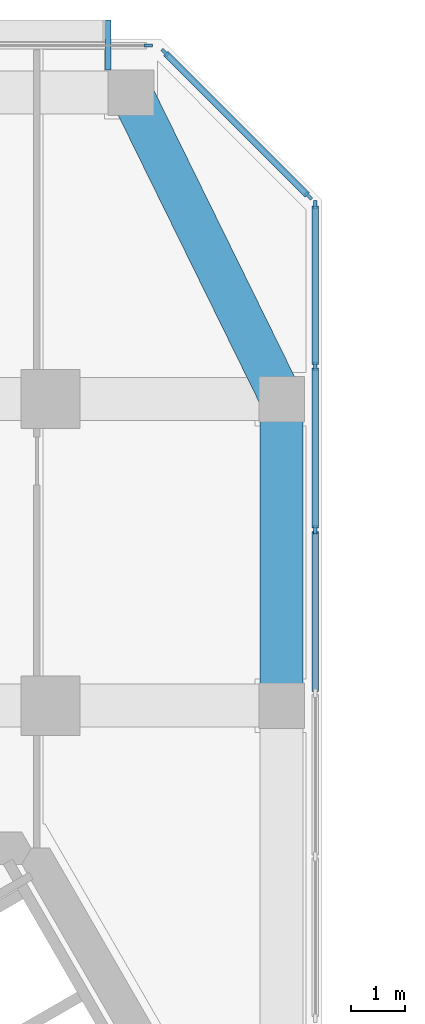
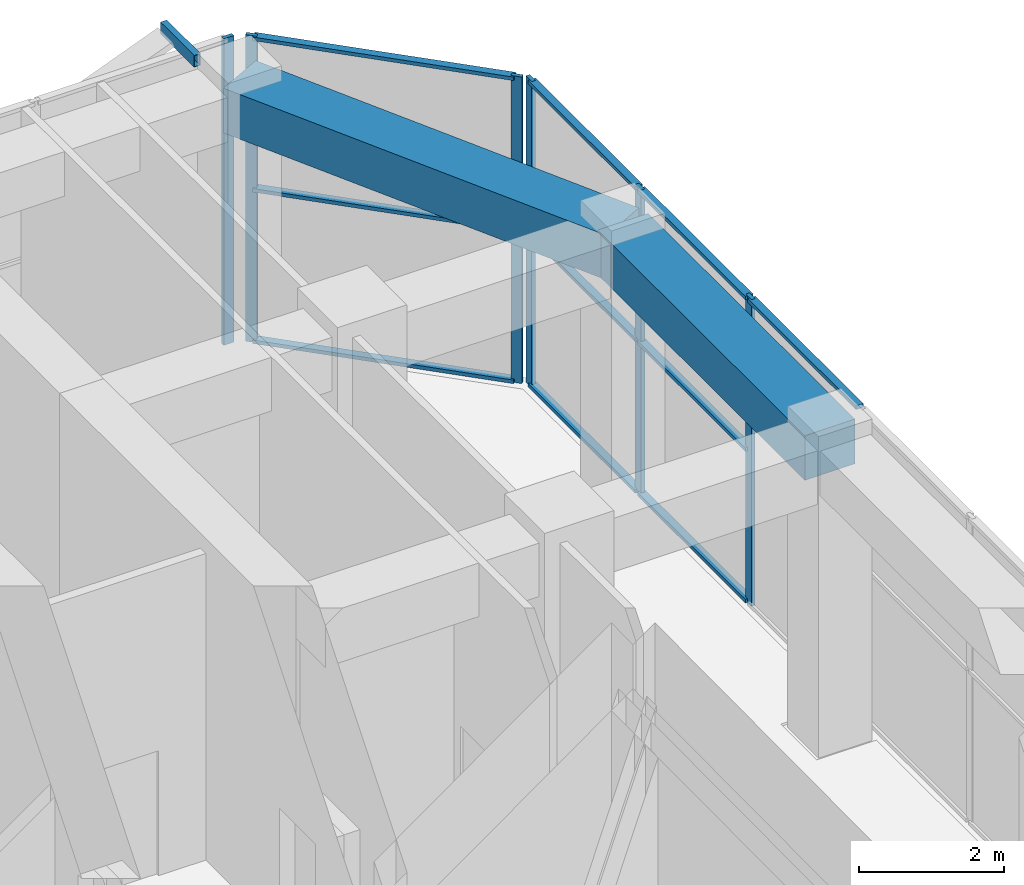
# One storey, part 8 of 16: 17 members, 2 beams, 3 elements without a shape of their own.
"""IFC4 building model written with IfcOpenShell, lengths in metres."""

from ifc_helpers import new_model, si_unit, direction, frame, origin, origin_2d, place, context, subcontext, project, spatial, rectangle, hollow_rectangle, extrude, material, material_profile, profile_set, type_object, element, aggregate, save


model = new_model("IFC4")

# Units and contexts
model_context = context("Model", 3, precision=1e-05, world=origin(), true_north=direction((0.0, 1.0)))
body_context = subcontext(model_context, "Body", "Model", "MODEL_VIEW")
ifc_project = project(units=[si_unit("LENGTHUNIT", "METRE"), si_unit("AREAUNIT", "SQUARE_METRE"), si_unit("VOLUMEUNIT", "CUBIC_METRE"), si_unit("PLANEANGLEUNIT", "RADIAN"), si_unit("MASSUNIT", "GRAM", prefix="KILO")], contexts=[model_context])

# Site, building, storey
site_placement = place(None, origin())
site = spatial("IfcSite", under=ifc_project, at=site_placement, CompositionType="ELEMENT")
building_placement = place(site_placement, origin())
building = spatial("IfcBuilding", under=site, at=building_placement, Name="Kosmar Iwan School Tower", CompositionType="ELEMENT")
storey_placement = place(building_placement, frame((0.0, 0.0, 226.199951171875)))
storey = spatial("IfcBuildingStorey", under=building, at=storey_placement, Name="L57", CompositionType="ELEMENT", Elevation=226.199951171875)

# Member
ifc_material_1 = material(Name="Steel S355", Category="steel")
ifc_material_profile_1 = material_profile(ifc_material_1, hollow_rectangle(XDim=0.10009765625, YDim=0.199951171875, WallThickness=0.008056640625, at=origin_2d()), Name="RHS 200x100x8")
ifc_profile_set_1 = profile_set([ifc_material_profile_1], Name="Steel S355")
member_type_1 = type_object("IfcMemberType", Name="Fin bracket RHS 200x100", PredefinedType="USERDEFINED", material=ifc_profile_set_1)
member_1_placement = place(storey_placement, frame((6.97509765625, 24.074951171875, 5.275146484375), z_axis=(0.0, 1.0, 0.0), x_axis=(-1.0, 0.0, 0.0)))
element("IfcMember", 1, at=member_1_placement, inside=storey, type_object=member_type_1, Name="Fin bracket L58", ObjectType="FIN BRACKET", PredefinedType="USERDEFINED", context=body_context, shape_type="SweptSolid", body=[
    extrude(hollow_rectangle(XDim=0.10009765625, YDim=0.199951171875, WallThickness=0.008056640625, at=origin_2d()), origin(), (0.0, 0.0, 1.0), 0.925048828125),
])

# Curtain wall, members
ifc_material_2 = material(Name="Dark glass in black aluminium frame", Category="aluminium")
curtain_wall_type_1 = type_object("IfcCurtainWallType", Name="Winter garden curtain wall", PredefinedType="USERDEFINED", material=ifc_material_2)
curtain_wall_1_placement = place(storey_placement, origin())
curtain_wall_1 = element("IfcCurtainWall", 2, at=curtain_wall_1_placement, inside=storey, type_object=curtain_wall_type_1, Name="Curtain wall L57-F04", ObjectType="WINTER GARDEN CURTAIN WALL", PredefinedType="USERDEFINED")
ifc_material_3 = material(Name="Black anodised aluminium", Category="aluminium")
ifc_material_profile_2 = material_profile(ifc_material_3, rectangle(XDim=0.06005859375, YDim=0.159912109375, at=origin_2d()), Name="MULLION 60x160")
ifc_profile_set_2 = profile_set([ifc_material_profile_2], Name="Black anodised aluminium")
member_type_2 = type_object("IfcMemberType", Name="Mullion 60x160", PredefinedType="MULLION", material=ifc_profile_set_2)
member_2_placement = place(storey_placement, frame((10.824951171875, 15.5224609375, 0.0), z_axis=(0.0, 0.0, 1.0), x_axis=(-1.0, 0.0, 0.0)))
member_2 = element("IfcMember", 3, at=member_2_placement, type_object=member_type_2, Name="CW7 mullion 4", PredefinedType="MULLION", context=body_context, shape_type="SweptSolid", body=[
    extrude(rectangle(XDim=0.06005859375, YDim=0.159912109375, at=origin_2d()), origin(), (0.0, 0.0, 1.0), 5.150146484375),
])
member_3_placement = place(storey_placement, frame((10.824951171875, 18.560302734375, 0.0), z_axis=(0.0, 0.0, 1.0), x_axis=(-1.0, 0.0, 0.0)))
member_3 = element("IfcMember", 4, at=member_3_placement, type_object=member_type_2, Name="CW7 mullion 5", PredefinedType="MULLION", context=body_context, shape_type="SweptSolid", body=[
    extrude(rectangle(XDim=0.06005859375, YDim=0.159912109375, at=origin_2d()), origin(), (0.0, 0.0, 1.0), 5.150146484375),
])
member_4_placement = place(storey_placement, frame((10.824951171875, 21.568115234375, 0.0), z_axis=(0.0, 0.0, 1.0), x_axis=(-1.0, 0.0, 0.0)))
member_4 = element("IfcMember", 5, at=member_4_placement, type_object=member_type_2, Name="CW7 mullion 6", PredefinedType="MULLION", context=body_context, shape_type="SweptSolid", body=[
    extrude(rectangle(XDim=0.06005859375, YDim=0.159912109375, at=origin_2d()), origin(), (0.0, 0.0, 1.0), 5.150146484375),
])

ifc_material_4 = material(Name="Dark glass in black aluminium frame", Category="aluminium")
curtain_wall_type_2 = type_object("IfcCurtainWallType", Name="Chamfer curtain wall dark glass", PredefinedType="USERDEFINED", material=ifc_material_4)
curtain_wall_2_placement = place(storey_placement, origin())
curtain_wall_2 = element("IfcCurtainWall", 6, at=curtain_wall_2_placement, inside=storey, type_object=curtain_wall_type_2, Name="Curtain wall L57-F05", ObjectType="FACETED CURTAIN WALL", PredefinedType="USERDEFINED")
member_5_placement = place(storey_placement, frame((10.69775390625, 21.7255859375, 0.0), z_axis=(0.0, 0.0, 1.0), x_axis=(-0.707106781187, -0.707106781187, 0.0)))
member_5 = element("IfcMember", 7, at=member_5_placement, type_object=member_type_2, Name="CW2 mullion 1", PredefinedType="MULLION", context=body_context, shape_type="SweptSolid", body=[
    extrude(rectangle(XDim=0.06005859375, YDim=0.159912109375, at=origin_2d()), origin(), (0.0, 0.0, 1.0), 5.150146484375),
])
member_6_placement = place(storey_placement, frame((8.025390625, 24.397705078125, 0.0), z_axis=(0.0, 0.0, 1.0), x_axis=(-0.707106781187, -0.707106781187, 0.0)))
member_6 = element("IfcMember", 8, at=member_6_placement, type_object=member_type_2, Name="CW2 mullion 2", PredefinedType="MULLION", context=body_context, shape_type="SweptSolid", body=[
    extrude(rectangle(XDim=0.06005859375, YDim=0.159912109375, at=origin_2d()), origin(), (0.0, 0.0, 1.0), 5.150146484375),
])

# Curtain wall, member
ifc_material_5 = material(Name="Dark glass in black aluminium frame", Category="aluminium")
curtain_wall_type_3 = type_object("IfcCurtainWallType", Name="Tower curtain wall dark glass", PredefinedType="USERDEFINED", material=ifc_material_5)
curtain_wall_3_placement = place(storey_placement, origin())
curtain_wall_3 = element("IfcCurtainWall", 9, at=curtain_wall_3_placement, inside=storey, type_object=curtain_wall_type_3, Name="Curtain wall L57-F06", ObjectType="UNITISED CURTAIN WALL", PredefinedType="USERDEFINED")
member_7_placement = place(storey_placement, frame((7.71826171875, 24.52490234375, 0.0), z_axis=(0.0, 0.0, 1.0), x_axis=(0.0, -1.0, 0.0)))
member_7 = element("IfcMember", 10, at=member_7_placement, type_object=member_type_2, Name="CW1 mullion 1", PredefinedType="MULLION", context=body_context, shape_type="SweptSolid", body=[
    extrude(rectangle(XDim=0.06005859375, YDim=0.159912109375, at=origin_2d()), origin(), (0.0, 0.0, 1.0), 5.150146484375),
])
aggregate(curtain_wall_3, [member_7])

# Beams
ifc_material_6 = material(Name="Concrete C50/60", Category="concrete")
ifc_material_profile_3 = material_profile(ifc_material_6, rectangle(XDim=0.800048828125, YDim=0.75, at=origin_2d()), Name="RC 800x750")
ifc_profile_set_3 = profile_set([ifc_material_profile_3], Name="Concrete C50/60")
beam_type_1 = type_object("IfcBeamType", Name="RC edge beam 800x750", PredefinedType="BEAM", material=ifc_profile_set_3)
beam_1_placement = place(storey_placement, frame((10.199951171875, 12.25, 4.775146484375), z_axis=(0.0, 1.0, 0.0), x_axis=(-1.0, 0.0, 0.0)))
element("IfcBeam", 11, at=beam_1_placement, inside=storey, type_object=beam_type_1, Name="Edge beam AR2", PredefinedType="BEAM", context=body_context, shape_type="SweptSolid", body=[
    extrude(rectangle(XDim=0.800048828125, YDim=0.75, at=origin_2d()), origin(), (0.0, 0.0, 1.0), 5.699951171875),
])
ifc_material_7 = material(Name="Concrete C50/60", Category="concrete")
ifc_material_profile_4 = material_profile(ifc_material_7, rectangle(XDim=0.800048828125, YDim=0.75, at=origin_2d()), Name="RC 800x750")
ifc_profile_set_4 = profile_set([ifc_material_profile_4], Name="Concrete C50/60")
beam_type_2 = type_object("IfcBeamType", Name="RC tip beam 800x750", PredefinedType="BEAM", material=ifc_profile_set_4)
beam_2_placement = place(storey_placement, frame((10.199951171875, 17.949951171875, 4.775146484375), z_axis=(-0.440913116462, 0.897549788999, 0.0), x_axis=(-0.897549788999, -0.440913116462, 0.0)))
element("IfcBeam", 12, at=beam_2_placement, inside=storey, type_object=beam_type_2, Name="Tip beam AR", PredefinedType="BEAM", context=body_context, shape_type="SweptSolid", body=[
    extrude(rectangle(XDim=0.800048828125, YDim=0.75, at=origin_2d()), origin(), (0.0, 0.0, 1.0), 6.3505859375),
])

# Member
ifc_material_8 = material(Name="Black anodised aluminium", Category="aluminium")
ifc_material_profile_5 = material_profile(ifc_material_8, rectangle(XDim=0.1201171875, YDim=0.06005859375, at=origin_2d()), Name="TRANSOM 60x120")
ifc_profile_set_5 = profile_set([ifc_material_profile_5], Name="Black anodised aluminium")
member_type_3 = type_object("IfcMemberType", Name="Transom 60x120", PredefinedType="USERDEFINED", material=ifc_profile_set_5)
member_8_placement = place(storey_placement, frame((10.824951171875, 12.5146484375, 5.1201171875), z_axis=(0.0, 1.0, 0.0), x_axis=(-1.0, 0.0, 0.0)))
member_8 = element("IfcMember", 13, at=member_8_placement, type_object=member_type_3, Name="CW7 transom 3.3", ObjectType="TRANSOM", PredefinedType="USERDEFINED", context=body_context, shape_type="SweptSolid", body=[
    extrude(rectangle(XDim=0.1201171875, YDim=0.06005859375, at=origin_2d()), origin(), (0.0, 0.0, 1.0), 2.977783203125),
])

member_9_placement = place(storey_placement, frame((10.824951171875, 15.552490234375, 0.030029296875), z_axis=(0.0, 1.0, 0.0), x_axis=(-1.0, 0.0, 0.0)))
member_9 = element("IfcMember", 14, at=member_9_placement, type_object=member_type_3, Name="CW7 transom 4.1", ObjectType="TRANSOM", PredefinedType="USERDEFINED", context=body_context, shape_type="SweptSolid", body=[
    extrude(rectangle(XDim=0.1201171875, YDim=0.06005859375, at=origin_2d()), origin(), (0.0, 0.0, 1.0), 2.977783203125),
])

member_10_placement = place(storey_placement, frame((10.824951171875, 15.552490234375, 2.574951171875), z_axis=(0.0, 1.0, 0.0), x_axis=(-1.0, 0.0, 0.0)))
member_10 = element("IfcMember", 15, at=member_10_placement, type_object=member_type_3, Name="CW7 transom 4.2", ObjectType="TRANSOM", PredefinedType="USERDEFINED", context=body_context, shape_type="SweptSolid", body=[
    extrude(rectangle(XDim=0.1201171875, YDim=0.06005859375, at=origin_2d()), origin(), (0.0, 0.0, 1.0), 2.977783203125),
])

member_11_placement = place(storey_placement, frame((10.824951171875, 15.552490234375, 5.1201171875), z_axis=(0.0, 1.0, 0.0), x_axis=(-1.0, 0.0, 0.0)))
member_11 = element("IfcMember", 16, at=member_11_placement, type_object=member_type_3, Name="CW7 transom 4.3", ObjectType="TRANSOM", PredefinedType="USERDEFINED", context=body_context, shape_type="SweptSolid", body=[
    extrude(rectangle(XDim=0.1201171875, YDim=0.06005859375, at=origin_2d()), origin(), (0.0, 0.0, 1.0), 2.977783203125),
])

member_12_placement = place(storey_placement, frame((10.824951171875, 18.59033203125, 0.030029296875), z_axis=(0.0, 1.0, 0.0), x_axis=(-1.0, 0.0, 0.0)))
member_12 = element("IfcMember", 17, at=member_12_placement, type_object=member_type_3, Name="CW7 transom 5.1", ObjectType="TRANSOM", PredefinedType="USERDEFINED", context=body_context, shape_type="SweptSolid", body=[
    extrude(rectangle(XDim=0.1201171875, YDim=0.06005859375, at=origin_2d()), origin(), (0.0, 0.0, 1.0), 2.947998046875),
])

member_13_placement = place(storey_placement, frame((10.824951171875, 18.59033203125, 2.574951171875), z_axis=(0.0, 1.0, 0.0), x_axis=(-1.0, 0.0, 0.0)))
member_13 = element("IfcMember", 18, at=member_13_placement, type_object=member_type_3, Name="CW7 transom 5.2", ObjectType="TRANSOM", PredefinedType="USERDEFINED", context=body_context, shape_type="SweptSolid", body=[
    extrude(rectangle(XDim=0.1201171875, YDim=0.06005859375, at=origin_2d()), origin(), (0.0, 0.0, 1.0), 2.947998046875),
])

member_14_placement = place(storey_placement, frame((10.824951171875, 18.59033203125, 5.1201171875), z_axis=(0.0, 1.0, 0.0), x_axis=(-1.0, 0.0, 0.0)))
member_14 = element("IfcMember", 19, at=member_14_placement, type_object=member_type_3, Name="CW7 transom 5.3", ObjectType="TRANSOM", PredefinedType="USERDEFINED", context=body_context, shape_type="SweptSolid", body=[
    extrude(rectangle(XDim=0.1201171875, YDim=0.06005859375, at=origin_2d()), origin(), (0.0, 0.0, 1.0), 2.947998046875),
])

aggregate(curtain_wall_1, [member_2, member_3, member_4, member_8, member_9, member_10, member_11, member_12, member_13, member_14])

member_15_placement = place(storey_placement, frame((10.676513671875, 21.746826171875, 0.030029296875), z_axis=(-0.707139603466, 0.707073957383, 0.0), x_axis=(-0.707073957383, -0.707139603466, 0.0)))
member_15 = element("IfcMember", 20, at=member_15_placement, type_object=member_type_3, Name="CW2 transom 1.1", ObjectType="TRANSOM", PredefinedType="USERDEFINED", context=body_context, shape_type="SweptSolid", body=[
    extrude(rectangle(XDim=0.1201171875, YDim=0.06005859375, at=origin_2d()), origin(), (0.0, 0.0, 1.0), 3.718994140625),
])

member_16_placement = place(storey_placement, frame((10.676513671875, 21.746826171875, 2.574951171875), z_axis=(-0.707139603466, 0.707073957383, 0.0), x_axis=(-0.707073957383, -0.707139603466, 0.0)))
member_16 = element("IfcMember", 21, at=member_16_placement, type_object=member_type_3, Name="CW2 transom 1.2", ObjectType="TRANSOM", PredefinedType="USERDEFINED", context=body_context, shape_type="SweptSolid", body=[
    extrude(rectangle(XDim=0.1201171875, YDim=0.06005859375, at=origin_2d()), origin(), (0.0, 0.0, 1.0), 3.718994140625),
])

member_17_placement = place(storey_placement, frame((10.676513671875, 21.746826171875, 5.1201171875), z_axis=(-0.707139603466, 0.707073957383, 0.0), x_axis=(-0.707073957383, -0.707139603466, 0.0)))
member_17 = element("IfcMember", 22, at=member_17_placement, type_object=member_type_3, Name="CW2 transom 1.3", ObjectType="TRANSOM", PredefinedType="USERDEFINED", context=body_context, shape_type="SweptSolid", body=[
    extrude(rectangle(XDim=0.1201171875, YDim=0.06005859375, at=origin_2d()), origin(), (0.0, 0.0, 1.0), 3.718994140625),
])

aggregate(curtain_wall_2, [member_5, member_6, member_15, member_16, member_17])

save(model, "model.ifc")
